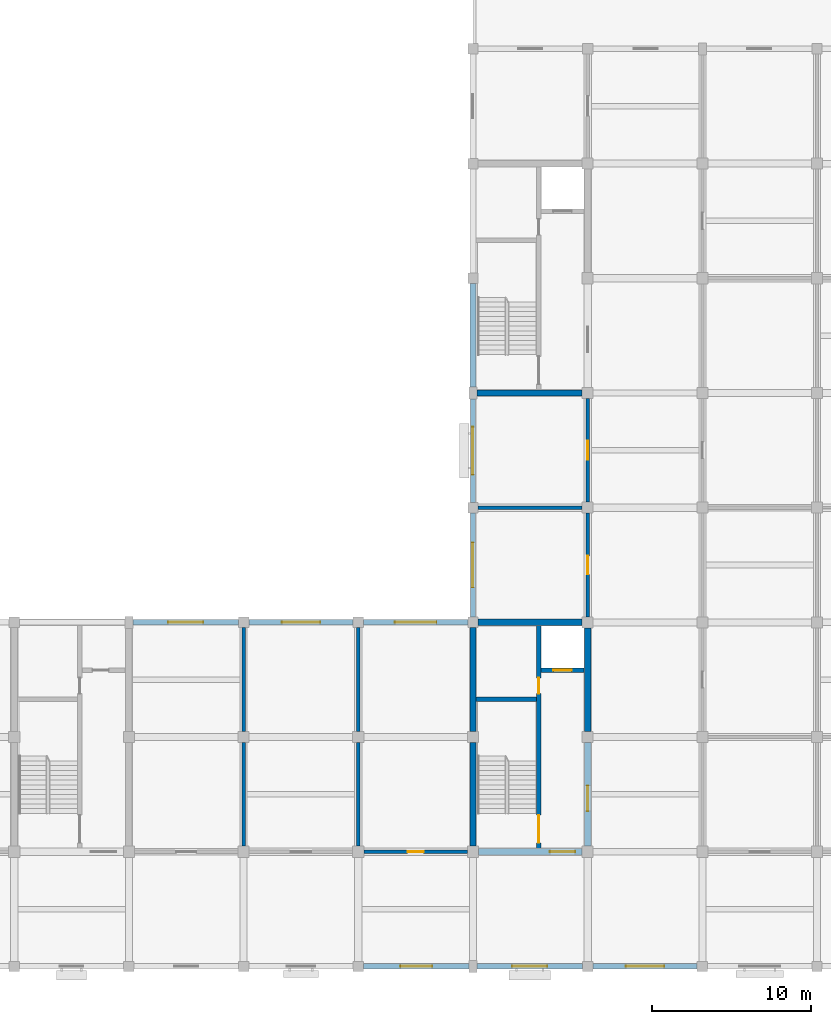
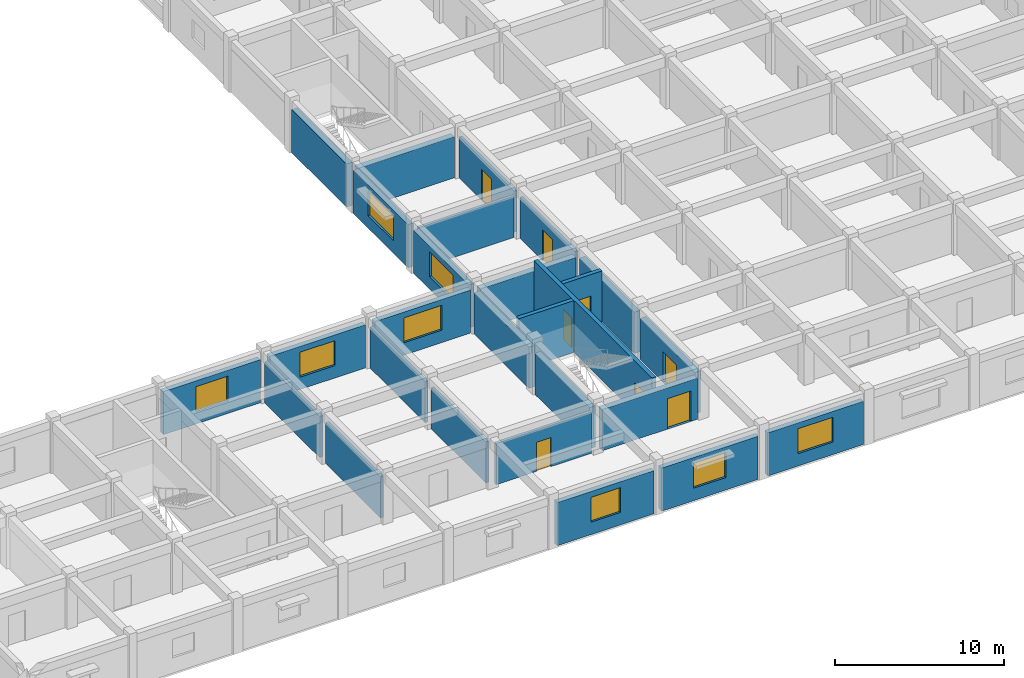
# One storey, part 5 of 16: 27 walls, 8 doors, 8 windows, 16 openings.
"""IFC4 building model written with IfcOpenShell, lengths in metres."""

from ifc_helpers import new_model, si_unit, direction, frame, frame_2d, origin, place, context, subcontext, project, spatial, rectangle, extrude, material, layer, layer_set, type_object, element, fill, save


model = new_model("IFC4")

# Units and contexts
model_context = context("Model", 3, precision=1e-05, world=origin(), true_north=direction((0.0, 1.0)))
body_context = subcontext(model_context, "Body", "Model", "MODEL_VIEW")
ifc_project = project(units=[si_unit("LENGTHUNIT", "METRE"), si_unit("AREAUNIT", "SQUARE_METRE"), si_unit("VOLUMEUNIT", "CUBIC_METRE"), si_unit("PLANEANGLEUNIT", "RADIAN"), si_unit("MASSUNIT", "GRAM", prefix="KILO")], contexts=[model_context])

# Site, building, storey
site_placement = place(None, origin())
site = spatial("IfcSite", under=ifc_project, at=site_placement, CompositionType="ELEMENT")
building_placement = place(site_placement, origin())
building = spatial("IfcBuilding", under=site, at=building_placement, Name="Cendaluz Park School", CompositionType="ELEMENT")
storey_placement = place(building_placement, frame((0.0, 0.0, 22.60009765625)))
storey = spatial("IfcBuildingStorey", under=building, at=storey_placement, Name="L05", CompositionType="ELEMENT", Elevation=22.60009765625)

# Walls
ifc_material_1 = material(Name="Gypsum Plasterboard on Cold-Formed Stud", Category="gypsum")
ifc_layer_1 = layer(ifc_material_1, 0.199951171875)
ifc_layer_set_1 = layer_set([ifc_layer_1], Name="Gypsum Plasterboard on Cold-Formed Stud")
wall_type_1 = type_object("IfcWallType", Name="W-AC20", PredefinedType="PARTITIONING", material=ifc_layer_set_1)
wall_1_placement = place(storey_placement, frame((57.60009765625, 14.75, 0.0), z_axis=(0.0, 0.0, 1.0), x_axis=(0.0, 1.0, 0.0)))
element("IfcWall", 1, at=wall_1_placement, inside=storey, type_object=wall_type_1, Name="WL-FF-BQ6", PredefinedType="PARTITIONING", context=body_context, shape_type="SweptSolid", body=[
    extrude(rectangle(XDim=6.5, YDim=0.199951171875, at=frame_2d((3.25, 0.0))), origin(), (0.0, 0.0, 1.0), 2.97998046875),
])
wall_2_placement = place(storey_placement, frame((57.60009765625, 21.949951171875, 0.0), z_axis=(0.0, 0.0, 1.0), x_axis=(0.0, 1.0, 0.0)))
element("IfcWall", 2, at=wall_2_placement, inside=storey, type_object=wall_type_1, Name="WL-FF-BQ7", PredefinedType="PARTITIONING", context=body_context, shape_type="SweptSolid", body=[
    extrude(rectangle(XDim=6.525146484375, YDim=0.199951171875, at=frame_2d((3.2626953125, 0.0))), origin(), (0.0, 0.0, 1.0), 2.97998046875),
])

# Wall, opening, door
wall_3_placement = place(storey_placement, frame((57.949951171875, 14.39990234375, 0.0), z_axis=(0.0, 0.0, 1.0), x_axis=(1.0, 0.0, 0.0)))
wall_3 = element("IfcWall", 3, at=wall_3_placement, inside=storey, type_object=wall_type_1, Name="WL-FF-BQ8", PredefinedType="PARTITIONING", context=body_context, shape_type="SweptSolid", body=[
    extrude(rectangle(XDim=6.5, YDim=0.199951171875, at=frame_2d((3.25, 0.0))), origin(), (0.0, 0.0, 1.0), 2.97998046875),
])
opening_1_placement = place(wall_3_placement, frame((2.75, 0.0, 0.0)))
opening_1 = element("IfcOpeningElement", 4, at=opening_1_placement, cuts=wall_3, Name="Opening DCL-01", PredefinedType="OPENING", context=body_context, shape_type="SweptSolid", body=[
    extrude(rectangle(XDim=1.0, YDim=2.10009765625, at=frame_2d((0.5, 1.050048828125))), frame((0.0, 0.112060546875, 0.0), z_axis=(0.0, -1.0, 0.0), x_axis=(1.0, 0.0, 0.0)), (0.0, 0.0, 1.0), 0.223876953125),
])
ifc_material_2 = material(Name="Solid Core Hardwood", Category="wood")
door_type_1 = type_object("IfcDoorType", Name="DCL-01", OperationType="NOTDEFINED", PredefinedType="DOOR", material=ifc_material_2)
door_1_placement = place(opening_1_placement, origin())
door_1 = element("IfcDoor", 5, at=door_1_placement, inside=storey, type_object=door_type_1, Name="D-L05-031", OperationType="SINGLE_SWING_LEFT", OverallHeight=2.10009765625, OverallWidth=1.0, PredefinedType="DOOR", context=body_context, shape_type="SweptSolid", body=[
    extrude(rectangle(XDim=1.0, YDim=2.10009765625, at=frame_2d((0.5, 1.050048828125))), frame((0.0, 0.02490234375, 0.0), z_axis=(0.0, -1.0, 0.0), x_axis=(1.0, 0.0, 0.0)), (0.0, 0.0, 1.0), 0.050048828125),
])
fill(opening_1, door_1)

# Wall
wall_4_placement = place(storey_placement, frame((65.125, 36.0, 0.0), z_axis=(0.0, 0.0, 1.0), x_axis=(1.0, 0.0, 0.0)))
element("IfcWall", 6, at=wall_4_placement, inside=storey, type_object=wall_type_1, Name="WL-FF-BS0", PredefinedType="PARTITIONING", context=body_context, shape_type="SweptSolid", body=[
    extrude(rectangle(XDim=6.52490234375, YDim=0.199951171875, at=frame_2d((3.262451171875, 0.0))), origin(), (0.0, 0.0, 1.0), 2.97998046875),
])

# Wall, opening, door
wall_5_placement = place(storey_placement, frame((72.0, 29.14990234375, 0.0), z_axis=(0.0, 0.0, 1.0), x_axis=(0.0, 1.0, 0.0)))
wall_5 = element("IfcWall", 7, at=wall_5_placement, inside=storey, type_object=wall_type_1, Name="WL-FF-BS1", PredefinedType="PARTITIONING", context=body_context, shape_type="SweptSolid", body=[
    extrude(rectangle(XDim=6.5, YDim=0.199951171875, at=frame_2d((3.25, 0.0))), origin(), (0.0, 0.0, 1.0), 2.97998046875),
])
opening_2_placement = place(wall_5_placement, frame((2.669921875, 0.0, 0.0)))
opening_2 = element("IfcOpeningElement", 8, at=opening_2_placement, cuts=wall_5, Name="Opening DCL-07", PredefinedType="OPENING", context=body_context, shape_type="SweptSolid", body=[
    extrude(rectangle(XDim=1.159912109375, YDim=2.219970703125, at=frame_2d((0.580078125, 1.10986328125))), frame((0.0, 0.112060546875, 0.0), z_axis=(0.0, -1.0, 0.0), x_axis=(1.0, 0.0, 0.0)), (0.0, 0.0, 1.0), 0.223876953125),
])
door_type_2 = type_object("IfcDoorType", Name="DCL-07", OperationType="NOTDEFINED", PredefinedType="DOOR", material=ifc_material_2)
door_2_placement = place(opening_2_placement, origin())
door_2 = element("IfcDoor", 9, at=door_2_placement, inside=storey, type_object=door_type_2, Name="D-L05-037", OperationType="SINGLE_SWING_LEFT", OverallHeight=2.219970703125, OverallWidth=1.159912109375, PredefinedType="DOOR", context=body_context, shape_type="SweptSolid", body=[
    extrude(rectangle(XDim=1.159912109375, YDim=2.219970703125, at=frame_2d((0.580078125, 1.10986328125))), frame((0.0, 0.02490234375, 0.0), z_axis=(0.0, -1.0, 0.0), x_axis=(1.0, 0.0, 0.0)), (0.0, 0.0, 1.0), 0.050048828125),
])
fill(opening_2, door_2)

wall_6_placement = place(storey_placement, frame((72.0, 36.35009765625, 0.0), z_axis=(0.0, 0.0, 1.0), x_axis=(0.0, 1.0, 0.0)))
wall_6 = element("IfcWall", 10, at=wall_6_placement, inside=storey, type_object=wall_type_1, Name="WL-FF-BS2", PredefinedType="PARTITIONING", context=body_context, shape_type="SweptSolid", body=[
    extrude(rectangle(XDim=6.5, YDim=0.199951171875, at=frame_2d((3.25, 0.0))), origin(), (0.0, 0.0, 1.0), 2.97998046875),
])
opening_3_placement = place(wall_6_placement, frame((2.64990234375, 0.0, 0.0)))
opening_3 = element("IfcOpeningElement", 11, at=opening_3_placement, cuts=wall_6, Name="Opening DCL-08", PredefinedType="OPENING", context=body_context, shape_type="SweptSolid", body=[
    extrude(rectangle(XDim=1.199951171875, YDim=2.239990234375, at=frame_2d((0.60009765625, 1.1201171875))), frame((0.0, 0.112060546875, 0.0), z_axis=(0.0, -1.0, 0.0), x_axis=(1.0, 0.0, 0.0)), (0.0, 0.0, 1.0), 0.223876953125),
])
door_type_3 = type_object("IfcDoorType", Name="DCL-08", OperationType="NOTDEFINED", PredefinedType="DOOR", material=ifc_material_2)
door_3_placement = place(opening_3_placement, origin())
door_3 = element("IfcDoor", 12, at=door_3_placement, inside=storey, type_object=door_type_3, Name="D-L05-038", OperationType="SINGLE_SWING_RIGHT", OverallHeight=2.239990234375, OverallWidth=1.199951171875, PredefinedType="DOOR", context=body_context, shape_type="SweptSolid", body=[
    extrude(rectangle(XDim=1.199951171875, YDim=2.239990234375, at=frame_2d((0.60009765625, 1.1201171875))), frame((0.0, 0.02490234375, 0.0), z_axis=(0.0, -1.0, 0.0), x_axis=(1.0, 0.0, 0.0)), (0.0, 0.0, 1.0), 0.050048828125),
])
fill(opening_3, door_3)

# Wall, opening, window
ifc_material_3 = material(Name="Concrete C40/50 precast", Category="concrete")
ifc_layer_2 = layer(ifc_material_3, 0.340087890625)
ifc_layer_set_2 = layer_set([ifc_layer_2], Name="Concrete C40/50 precast")
wall_type_2 = type_object("IfcWallType", Name="W-EX34", PredefinedType="SOLIDWALL", material=ifc_layer_set_2)
wall_7_placement = place(storey_placement, frame((43.449951171875, 28.800048828125, 0.0), z_axis=(0.0, 0.0, 1.0), x_axis=(1.0, 0.0, 0.0)))
wall_7 = element("IfcWall", 13, at=wall_7_placement, inside=storey, type_object=wall_type_2, Name="WL-FF-AA9", PredefinedType="SOLIDWALL", context=body_context, shape_type="SweptSolid", body=[
    extrude(rectangle(XDim=6.625, YDim=0.340087890625, at=frame_2d((3.3125, 0.0))), origin(), (0.0, 0.0, 1.0), 3.119873046875),
])
opening_4_placement = place(wall_7_placement, frame((2.21240234375, 0.0, 0.89990234375)))
opening_4 = element("IfcOpeningElement", 14, at=opening_4_placement, cuts=wall_7, Name="Opening WN-03", PredefinedType="OPENING", context=body_context, shape_type="SweptSolid", body=[
    extrude(rectangle(XDim=2.199951171875, YDim=1.800048828125, at=frame_2d((1.10009765625, 0.89990234375))), frame((0.0, 0.18212890625, 0.0), z_axis=(0.0, -1.0, 0.0), x_axis=(1.0, 0.0, 0.0)), (0.0, 0.0, 1.0), 0.364013671875),
])
ifc_material_4 = material(Name="Tempered Low-E Double Glazing", Category="glass")
window_type_1 = type_object("IfcWindowType", Name="WN-03", PartitioningType="SINGLE_PANEL", PredefinedType="WINDOW", material=ifc_material_4)
window_1_placement = place(opening_4_placement, origin())
window_1 = element("IfcWindow", 15, at=window_1_placement, inside=storey, type_object=window_type_1, Name="WN-L05-010", OverallHeight=1.800048828125, OverallWidth=2.199951171875, PartitioningType="SINGLE_PANEL", PredefinedType="WINDOW", context=body_context, shape_type="SweptSolid", body=[
    extrude(rectangle(XDim=2.199951171875, YDim=1.800048828125, at=frame_2d((1.10009765625, 0.89990234375))), frame((0.0, 0.030029296875, 0.0), z_axis=(0.0, -1.0, 0.0), x_axis=(1.0, 0.0, 0.0)), (0.0, 0.0, 1.0), 0.06005859375),
])
fill(opening_4, window_1)

wall_8_placement = place(storey_placement, frame((50.72509765625, 28.800048828125, 0.0), z_axis=(0.0, 0.0, 1.0), x_axis=(1.0, 0.0, 0.0)))
wall_8 = element("IfcWall", 16, at=wall_8_placement, inside=storey, type_object=wall_type_2, Name="WL-FF-AB1", PredefinedType="SOLIDWALL", context=body_context, shape_type="SweptSolid", body=[
    extrude(rectangle(XDim=6.5498046875, YDim=0.340087890625, at=frame_2d((3.27490234375, 0.0))), origin(), (0.0, 0.0, 1.0), 3.119873046875),
])
opening_5_placement = place(wall_8_placement, frame((2.074951171875, 0.0, 0.89990234375)))
opening_5 = element("IfcOpeningElement", 17, at=opening_5_placement, cuts=wall_8, Name="Opening WN-04", PredefinedType="OPENING", context=body_context, shape_type="SweptSolid", body=[
    extrude(rectangle(XDim=2.39990234375, YDim=1.800048828125, at=frame_2d((1.199951171875, 0.89990234375))), frame((0.0, 0.18212890625, 0.0), z_axis=(0.0, -1.0, 0.0), x_axis=(1.0, 0.0, 0.0)), (0.0, 0.0, 1.0), 0.364013671875),
])
window_type_2 = type_object("IfcWindowType", Name="WN-04", PartitioningType="SINGLE_PANEL", PredefinedType="WINDOW", material=ifc_material_4)
window_2_placement = place(opening_5_placement, origin())
window_2 = element("IfcWindow", 18, at=window_2_placement, inside=storey, type_object=window_type_2, Name="WN-L05-012", OverallHeight=1.800048828125, OverallWidth=2.39990234375, PartitioningType="SINGLE_PANEL", PredefinedType="WINDOW", context=body_context, shape_type="SweptSolid", body=[
    extrude(rectangle(XDim=2.39990234375, YDim=1.800048828125, at=frame_2d((1.199951171875, 0.89990234375))), frame((0.0, 0.030029296875, 0.0), z_axis=(0.0, -1.0, 0.0), x_axis=(1.0, 0.0, 0.0)), (0.0, 0.0, 1.0), 0.06005859375),
])
fill(opening_5, window_2)

wall_9_placement = place(storey_placement, frame((57.925048828125, 7.199951171875, 0.0), z_axis=(0.0, 0.0, 1.0), x_axis=(1.0, 0.0, 0.0)))
wall_9 = element("IfcWall", 19, at=wall_9_placement, inside=storey, type_object=wall_type_2, Name="WL-FF-AB2", PredefinedType="SOLIDWALL", context=body_context, shape_type="SweptSolid", body=[
    extrude(rectangle(XDim=6.625, YDim=0.340087890625, at=frame_2d((3.3125, 0.0))), origin(), (0.0, 0.0, 1.0), 3.119873046875),
])
opening_6_placement = place(wall_9_placement, frame((2.3125, 0.0, 0.89990234375)))
opening_6 = element("IfcOpeningElement", 20, at=opening_6_placement, cuts=wall_9, Name="Opening WN-02", PredefinedType="OPENING", context=body_context, shape_type="SweptSolid", body=[
    extrude(rectangle(XDim=2.0, YDim=1.800048828125, at=frame_2d((1.0, 0.89990234375))), frame((0.0, 0.18212890625, 0.0), z_axis=(0.0, -1.0, 0.0), x_axis=(1.0, 0.0, 0.0)), (0.0, 0.0, 1.0), 0.364013671875),
])
window_type_3 = type_object("IfcWindowType", Name="WN-02", PartitioningType="SINGLE_PANEL", PredefinedType="WINDOW", material=ifc_material_4)
window_3_placement = place(opening_6_placement, origin())
window_3 = element("IfcWindow", 21, at=window_3_placement, inside=storey, type_object=window_type_3, Name="WN-L05-013", OverallHeight=1.800048828125, OverallWidth=2.0, PartitioningType="SINGLE_PANEL", PredefinedType="WINDOW", context=body_context, shape_type="SweptSolid", body=[
    extrude(rectangle(XDim=2.0, YDim=1.800048828125, at=frame_2d((1.0, 0.89990234375))), frame((0.0, 0.030029296875, 0.0), z_axis=(0.0, -1.0, 0.0), x_axis=(1.0, 0.0, 0.0)), (0.0, 0.0, 1.0), 0.06005859375),
])
fill(opening_6, window_3)

wall_10_placement = place(storey_placement, frame((57.925048828125, 28.800048828125, 0.0), z_axis=(0.0, 0.0, 1.0), x_axis=(1.0, 0.0, 0.0)))
wall_10 = element("IfcWall", 22, at=wall_10_placement, inside=storey, type_object=wall_type_2, Name="WL-FF-AB3", PredefinedType="SOLIDWALL", context=body_context, shape_type="SweptSolid", body=[
    extrude(rectangle(XDim=6.550048828125, YDim=0.340087890625, at=frame_2d((3.27490234375, 0.0))), origin(), (0.0, 0.0, 1.0), 3.119873046875),
])
opening_7_placement = place(wall_10_placement, frame((1.97509765625, 0.0, 0.89990234375)))
opening_7 = element("IfcOpeningElement", 23, at=opening_7_placement, cuts=wall_10, Name="Opening WN-05", PredefinedType="OPENING", context=body_context, shape_type="SweptSolid", body=[
    extrude(rectangle(XDim=2.60009765625, YDim=1.800048828125, at=frame_2d((1.300048828125, 0.89990234375))), frame((0.0, 0.18212890625, 0.0), z_axis=(0.0, -1.0, 0.0), x_axis=(1.0, 0.0, 0.0)), (0.0, 0.0, 1.0), 0.364013671875),
])
window_type_4 = type_object("IfcWindowType", Name="WN-05", PartitioningType="SINGLE_PANEL", PredefinedType="WINDOW", material=ifc_material_4)
window_4_placement = place(opening_7_placement, origin())
window_4 = element("IfcWindow", 24, at=window_4_placement, inside=storey, type_object=window_type_4, Name="WN-L05-014", OverallHeight=1.800048828125, OverallWidth=2.60009765625, PartitioningType="SINGLE_PANEL", PredefinedType="WINDOW", context=body_context, shape_type="SweptSolid", body=[
    extrude(rectangle(XDim=2.60009765625, YDim=1.800048828125, at=frame_2d((1.300048828125, 0.89990234375))), frame((0.0, 0.030029296875, 0.0), z_axis=(0.0, -1.0, 0.0), x_axis=(1.0, 0.0, 0.0)), (0.0, 0.0, 1.0), 0.06005859375),
])
fill(opening_7, window_4)

wall_11_placement = place(storey_placement, frame((65.050048828125, 7.199951171875, 0.0), z_axis=(0.0, 0.0, 1.0), x_axis=(1.0, 0.0, 0.0)))
wall_11 = element("IfcWall", 25, at=wall_11_placement, inside=storey, type_object=wall_type_2, Name="WL-FF-AB4", PredefinedType="SOLIDWALL", context=body_context, shape_type="SweptSolid", body=[
    extrude(rectangle(XDim=6.625, YDim=0.340087890625, at=frame_2d((3.3125, 0.0))), origin(), (0.0, 0.0, 1.0), 3.119873046875),
])
opening_8_placement = place(wall_11_placement, frame((2.21240234375, 0.0, 0.89990234375)))
opening_8 = element("IfcOpeningElement", 26, at=opening_8_placement, cuts=wall_11, Name="Opening WN-03", PredefinedType="OPENING", context=body_context, shape_type="SweptSolid", body=[
    extrude(rectangle(XDim=2.199951171875, YDim=1.800048828125, at=frame_2d((1.10009765625, 0.89990234375))), frame((0.0, 0.18212890625, 0.0), z_axis=(0.0, -1.0, 0.0), x_axis=(1.0, 0.0, 0.0)), (0.0, 0.0, 1.0), 0.364013671875),
])
window_5_placement = place(opening_8_placement, origin())
window_5 = element("IfcWindow", 27, at=window_5_placement, inside=storey, type_object=window_type_1, Name="WN-L05-015", OverallHeight=1.800048828125, OverallWidth=2.199951171875, PartitioningType="SINGLE_PANEL", PredefinedType="WINDOW", context=body_context, shape_type="SweptSolid", body=[
    extrude(rectangle(XDim=2.199951171875, YDim=1.800048828125, at=frame_2d((1.10009765625, 0.89990234375))), frame((0.0, 0.030029296875, 0.0), z_axis=(0.0, -1.0, 0.0), x_axis=(1.0, 0.0, 0.0)), (0.0, 0.0, 1.0), 0.06005859375),
])
fill(opening_8, window_5)

wall_12_placement = place(storey_placement, frame((64.800048828125, 29.125, 0.0), z_axis=(0.0, 0.0, 1.0), x_axis=(0.0, 1.0, 0.0)))
wall_12 = element("IfcWall", 28, at=wall_12_placement, inside=storey, type_object=wall_type_2, Name="WL-FF-AB5", PredefinedType="SOLIDWALL", context=body_context, shape_type="SweptSolid", body=[
    extrude(rectangle(XDim=6.550048828125, YDim=0.340087890625, at=frame_2d((3.27490234375, 0.0))), origin(), (0.0, 0.0, 1.0), 3.119873046875),
])
opening_9_placement = place(wall_12_placement, frame((1.875, 0.0, 0.89990234375)))
opening_9 = element("IfcOpeningElement", 29, at=opening_9_placement, cuts=wall_12, Name="Opening WN-06", PredefinedType="OPENING", context=body_context, shape_type="SweptSolid", body=[
    extrude(rectangle(XDim=2.800048828125, YDim=1.800048828125, at=frame_2d((1.39990234375, 0.89990234375))), frame((0.0, 0.18212890625, 0.0), z_axis=(0.0, -1.0, 0.0), x_axis=(1.0, 0.0, 0.0)), (0.0, 0.0, 1.0), 0.364013671875),
])
window_type_5 = type_object("IfcWindowType", Name="WN-06", PartitioningType="SINGLE_PANEL", PredefinedType="WINDOW", material=ifc_material_4)
window_6_placement = place(opening_9_placement, origin())
window_6 = element("IfcWindow", 30, at=window_6_placement, inside=storey, type_object=window_type_5, Name="WN-L05-016", OverallHeight=1.800048828125, OverallWidth=2.800048828125, PartitioningType="SINGLE_PANEL", PredefinedType="WINDOW", context=body_context, shape_type="SweptSolid", body=[
    extrude(rectangle(XDim=2.800048828125, YDim=1.800048828125, at=frame_2d((1.39990234375, 0.89990234375))), frame((0.0, 0.030029296875, 0.0), z_axis=(0.0, -1.0, 0.0), x_axis=(1.0, 0.0, 0.0)), (0.0, 0.0, 1.0), 0.06005859375),
])
fill(opening_9, window_6)

wall_13_placement = place(storey_placement, frame((64.800048828125, 36.324951171875, 0.0), z_axis=(0.0, 0.0, 1.0), x_axis=(0.0, 1.0, 0.0)))
wall_13 = element("IfcWall", 31, at=wall_13_placement, inside=storey, type_object=wall_type_2, Name="WL-FF-AB6", PredefinedType="SOLIDWALL", context=body_context, shape_type="SweptSolid", body=[
    extrude(rectangle(XDim=6.5, YDim=0.340087890625, at=frame_2d((3.25, 0.0))), origin(), (0.0, 0.0, 1.0), 3.119873046875),
])
opening_10_placement = place(wall_13_placement, frame((1.75, 0.0, 0.89990234375)))
opening_10 = element("IfcOpeningElement", 32, at=opening_10_placement, cuts=wall_13, Name="Opening WN-07", PredefinedType="OPENING", context=body_context, shape_type="SweptSolid", body=[
    extrude(rectangle(XDim=3.0, YDim=1.800048828125, at=frame_2d((1.5, 0.89990234375))), frame((0.0, 0.18212890625, 0.0), z_axis=(0.0, -1.0, 0.0), x_axis=(1.0, 0.0, 0.0)), (0.0, 0.0, 1.0), 0.364013671875),
])
window_type_6 = type_object("IfcWindowType", Name="WN-07", PartitioningType="SINGLE_PANEL", PredefinedType="WINDOW", material=ifc_material_4)
window_7_placement = place(opening_10_placement, origin())
window_7 = element("IfcWindow", 33, at=window_7_placement, inside=storey, type_object=window_type_6, Name="WN-L05-017", OverallHeight=1.800048828125, OverallWidth=3.0, PartitioningType="SINGLE_PANEL", PredefinedType="WINDOW", context=body_context, shape_type="SweptSolid", body=[
    extrude(rectangle(XDim=3.0, YDim=1.800048828125, at=frame_2d((1.5, 0.89990234375))), frame((0.0, 0.030029296875, 0.0), z_axis=(0.0, -1.0, 0.0), x_axis=(1.0, 0.0, 0.0)), (0.0, 0.0, 1.0), 0.06005859375),
])
fill(opening_10, window_7)

wall_14_placement = place(storey_placement, frame((72.324951171875, 7.199951171875, 0.0), z_axis=(0.0, 0.0, 1.0), x_axis=(1.0, 0.0, 0.0)))
wall_14 = element("IfcWall", 34, at=wall_14_placement, inside=storey, type_object=wall_type_2, Name="WL-FF-AB9", PredefinedType="SOLIDWALL", context=body_context, shape_type="SweptSolid", body=[
    extrude(rectangle(XDim=6.550048828125, YDim=0.340087890625, at=frame_2d((3.27490234375, 0.0))), origin(), (0.0, 0.0, 1.0), 3.119873046875),
])
opening_11_placement = place(wall_14_placement, frame((2.074951171875, 0.0, 0.89990234375)))
opening_11 = element("IfcOpeningElement", 35, at=opening_11_placement, cuts=wall_14, Name="Opening WN-04", PredefinedType="OPENING", context=body_context, shape_type="SweptSolid", body=[
    extrude(rectangle(XDim=2.39990234375, YDim=1.800048828125, at=frame_2d((1.199951171875, 0.89990234375))), frame((0.0, 0.18212890625, 0.0), z_axis=(0.0, -1.0, 0.0), x_axis=(1.0, 0.0, 0.0)), (0.0, 0.0, 1.0), 0.364013671875),
])
window_8_placement = place(opening_11_placement, origin())
window_8 = element("IfcWindow", 36, at=window_8_placement, inside=storey, type_object=window_type_2, Name="WN-L05-020", OverallHeight=1.800048828125, OverallWidth=2.39990234375, PartitioningType="SINGLE_PANEL", PredefinedType="WINDOW", context=body_context, shape_type="SweptSolid", body=[
    extrude(rectangle(XDim=2.39990234375, YDim=1.800048828125, at=frame_2d((1.199951171875, 0.89990234375))), frame((0.0, 0.030029296875, 0.0), z_axis=(0.0, -1.0, 0.0), x_axis=(1.0, 0.0, 0.0)), (0.0, 0.0, 1.0), 0.06005859375),
])
fill(opening_11, window_8)

# Wall, openings, doors
ifc_material_5 = material(Name="Concrete C40/50", Category="concrete")
ifc_layer_3 = layer(ifc_material_5, 0.280029296875)
ifc_layer_set_3 = layer_set([ifc_layer_3], Name="Concrete C40/50")
wall_type_3 = type_object("IfcWallType", Name="W-FW28", PredefinedType="SHEAR", material=ifc_layer_set_3)
wall_15_placement = place(storey_placement, frame((68.919921875, 14.60009765625, 0.0), z_axis=(0.0, 0.0, 1.0), x_axis=(0.0, 1.0, 0.0)))
wall_15 = element("IfcWall", 37, at=wall_15_placement, inside=storey, type_object=wall_type_3, Name="WL-FF-BL0", PredefinedType="SHEAR", context=body_context, shape_type="SweptSolid", body=[
    extrude(rectangle(XDim=14.0, YDim=0.280029296875, at=frame_2d((7.0, 0.0))), origin(), (0.0, 0.0, 1.0), 3.75),
])
opening_12_placement = place(wall_15_placement, frame((0.35009765625, 0.0, 0.0)))
opening_12 = element("IfcOpeningElement", 38, at=opening_12_placement, cuts=wall_15, Name="Opening DST-03", PredefinedType="OPENING", context=body_context, shape_type="SweptSolid", body=[
    extrude(rectangle(XDim=1.75, YDim=2.14990234375, at=frame_2d((0.875, 1.074951171875))), frame((0.0, 0.152099609375, 0.0), z_axis=(0.0, -1.0, 0.0), x_axis=(1.0, 0.0, 0.0)), (0.0, 0.0, 1.0), 0.303955078125),
])
opening_13_placement = place(wall_15_placement, frame((9.719970703125, 0.0, 0.0)))
opening_13 = element("IfcOpeningElement", 39, at=opening_13_placement, cuts=wall_15, Name="Opening DFC-01", PredefinedType="OPENING", context=body_context, shape_type="SweptSolid", body=[
    extrude(rectangle(XDim=1.0, YDim=2.14990234375, at=frame_2d((0.5, 1.074951171875))), frame((0.0, 0.152099609375, 0.0), z_axis=(0.0, -1.0, 0.0), x_axis=(1.0, 0.0, 0.0)), (0.0, 0.0, 1.0), 0.303955078125),
])
door_type_4 = type_object("IfcDoorType", Name="DFC-01", OperationType="NOTDEFINED", PredefinedType="DOOR", material=ifc_material_2)
door_4_placement = place(opening_13_placement, origin())
door_4 = element("IfcDoor", 40, at=door_4_placement, inside=storey, type_object=door_type_4, Name="D-L05-004", OperationType="SINGLE_SWING_LEFT", OverallHeight=2.14990234375, OverallWidth=1.0, PredefinedType="DOOR", context=body_context, shape_type="SweptSolid", body=[
    extrude(rectangle(XDim=1.0, YDim=2.14990234375, at=frame_2d((0.5, 1.074951171875))), frame((0.0, 0.02490234375, 0.0), z_axis=(0.0, -1.0, 0.0), x_axis=(1.0, 0.0, 0.0)), (0.0, 0.0, 1.0), 0.050048828125),
])
fill(opening_13, door_4)
door_type_5 = type_object("IfcDoorType", Name="DST-03", OperationType="DOUBLE_DOOR_SINGLE_SWING", PredefinedType="DOOR", material=ifc_material_2)
door_5_placement = place(opening_12_placement, origin())
door_5 = element("IfcDoor", 41, at=door_5_placement, inside=storey, type_object=door_type_5, Name="D-L05-003", OperationType="DOUBLE_DOOR_SINGLE_SWING", OverallHeight=2.14990234375, OverallWidth=1.75, PredefinedType="DOOR", context=body_context, shape_type="SweptSolid", body=[
    extrude(rectangle(XDim=1.75, YDim=2.14990234375, at=frame_2d((0.875, 1.074951171875))), frame((0.0, 0.02490234375, 0.0), z_axis=(0.0, -1.0, 0.0), x_axis=(1.0, 0.0, 0.0)), (0.0, 0.0, 1.0), 0.050048828125),
])
fill(opening_12, door_5)

# Wall
wall_16_placement = place(storey_placement, frame((65.0, 23.97998046875, 0.0), z_axis=(0.0, 0.0, 1.0), x_axis=(1.0, 0.0, 0.0)))
element("IfcWall", 42, at=wall_16_placement, inside=storey, type_object=wall_type_3, Name="WL-FF-BL1", PredefinedType="SHEAR", context=body_context, shape_type="SweptSolid", body=[
    extrude(rectangle(XDim=3.780029296875, YDim=0.280029296875, at=frame_2d((1.89013671875, 0.0))), origin(), (0.0, 0.0, 1.0), 3.75),
])

# Wall, opening, door
wall_17_placement = place(storey_placement, frame((69.080078125, 25.800048828125, 0.0), z_axis=(0.0, 0.0, 1.0), x_axis=(1.0, 0.0, 0.0)))
wall_17 = element("IfcWall", 43, at=wall_17_placement, inside=storey, type_object=wall_type_3, Name="WL-FF-BL2", PredefinedType="SHEAR", context=body_context, shape_type="SweptSolid", body=[
    extrude(rectangle(XDim=2.679931640625, YDim=0.280029296875, at=frame_2d((1.33984375, 0.0))), origin(), (0.0, 0.0, 1.0), 3.75),
])
opening_14_placement = place(wall_17_placement, frame((0.764892578125, 0.0, 0.0)))
opening_14 = element("IfcOpeningElement", 44, at=opening_14_placement, cuts=wall_17, Name="Opening LD-01", PredefinedType="OPENING", context=body_context, shape_type="SweptSolid", body=[
    extrude(rectangle(XDim=1.14990234375, YDim=2.199951171875, at=frame_2d((0.574951171875, 1.10009765625))), frame((0.0, 0.152099609375, 0.0), z_axis=(0.0, -1.0, 0.0), x_axis=(1.0, 0.0, 0.0)), (0.0, 0.0, 1.0), 0.303955078125),
])
ifc_material_6 = material(Name="Stainless Steel 316L", Category="steel")
door_type_6 = type_object("IfcDoorType", Name="LD-01", OperationType="DOUBLE_DOOR_SLIDING", PredefinedType="DOOR", material=ifc_material_6)
door_6_placement = place(opening_14_placement, frame((1.14990234375, 0.0, 0.0), z_axis=(0.0, 0.0, 1.0), x_axis=(-1.0, 0.0, 0.0)))
door_6 = element("IfcDoor", 45, at=door_6_placement, inside=storey, type_object=door_type_6, Name="D-L05-005", OperationType="DOUBLE_DOOR_SLIDING", OverallHeight=2.199951171875, OverallWidth=1.14990234375, PredefinedType="DOOR", context=body_context, shape_type="SweptSolid", body=[
    extrude(rectangle(XDim=1.14990234375, YDim=2.199951171875, at=frame_2d((0.574951171875, 1.10009765625))), frame((0.0, 0.02490234375, 0.0), z_axis=(0.0, -1.0, 0.0), x_axis=(1.0, 0.0, 0.0)), (0.0, 0.0, 1.0), 0.050048828125),
])
fill(opening_14, door_6)

# Walls
ifc_layer_4 = layer(ifc_material_1, 0.219970703125)
ifc_layer_set_4 = layer_set([ifc_layer_4], Name="Gypsum Plasterboard on Cold-Formed Stud")
wall_type_4 = type_object("IfcWallType", Name="W-LB22", PredefinedType="PARTITIONING", material=ifc_layer_set_4)
wall_18_placement = place(storey_placement, frame((50.39990234375, 14.75, 0.0), z_axis=(0.0, 0.0, 1.0), x_axis=(0.0, 1.0, 0.0)))
element("IfcWall", 46, at=wall_18_placement, inside=storey, type_object=wall_type_4, Name="WL-FF-BQ3", PredefinedType="PARTITIONING", context=body_context, shape_type="SweptSolid", body=[
    extrude(rectangle(XDim=6.5, YDim=0.219970703125, at=frame_2d((3.25, 0.0))), origin(), (0.0, 0.0, 1.0), 2.97998046875),
])
wall_19_placement = place(storey_placement, frame((50.39990234375, 21.949951171875, 0.0), z_axis=(0.0, 0.0, 1.0), x_axis=(0.0, 1.0, 0.0)))
element("IfcWall", 47, at=wall_19_placement, inside=storey, type_object=wall_type_4, Name="WL-FF-BQ4", PredefinedType="PARTITIONING", context=body_context, shape_type="SweptSolid", body=[
    extrude(rectangle(XDim=6.525146484375, YDim=0.219970703125, at=frame_2d((3.2626953125, 0.0))), origin(), (0.0, 0.0, 1.0), 2.97998046875),
])
ifc_layer_5 = layer(ifc_material_5, 0.39990234375)
ifc_layer_set_5 = layer_set([ifc_layer_5], Name="Concrete C40/50")
wall_type_5 = type_object("IfcWallType", Name="W-SH40", PredefinedType="SHEAR", material=ifc_layer_set_5)
wall_20_placement = place(storey_placement, frame((64.800048828125, 14.75, 0.0), z_axis=(0.0, 0.0, 1.0), x_axis=(0.0, 1.0, 0.0)))
element("IfcWall", 48, at=wall_20_placement, inside=storey, type_object=wall_type_5, Name="WL-FF-BK4", PredefinedType="SHEAR", context=body_context, shape_type="SweptSolid", body=[
    extrude(rectangle(XDim=6.5, YDim=0.39990234375, at=frame_2d((3.25, 0.0))), origin(), (0.0, 0.0, 1.0), 2.97998046875),
])
wall_21_placement = place(storey_placement, frame((64.800048828125, 21.949951171875, 0.0), z_axis=(0.0, 0.0, 1.0), x_axis=(0.0, 1.0, 0.0)))
element("IfcWall", 49, at=wall_21_placement, inside=storey, type_object=wall_type_5, Name="WL-FF-BK5", PredefinedType="SHEAR", context=body_context, shape_type="SweptSolid", body=[
    extrude(rectangle(XDim=6.525146484375, YDim=0.39990234375, at=frame_2d((3.2626953125, 0.0))), origin(), (0.0, 0.0, 1.0), 2.97998046875),
])

# Wall, opening, door
wall_22_placement = place(storey_placement, frame((72.0, 14.75, 0.0), z_axis=(0.0, 0.0, 1.0), x_axis=(0.0, 1.0, 0.0)))
wall_22 = element("IfcWall", 50, at=wall_22_placement, inside=storey, type_object=wall_type_5, Name="WL-FF-BK6", PredefinedType="SHEAR", context=body_context, shape_type="SweptSolid", body=[
    extrude(rectangle(XDim=6.5, YDim=0.39990234375, at=frame_2d((3.25, 0.0))), origin(), (0.0, 0.0, 1.0), 2.97998046875),
])
opening_15_placement = place(wall_22_placement, frame((2.199951171875, 0.0, 0.0)))
opening_15 = element("IfcOpeningElement", 51, at=opening_15_placement, cuts=wall_22, Name="Opening DLB-01", PredefinedType="OPENING", context=body_context, shape_type="SweptSolid", body=[
    extrude(rectangle(XDim=1.60009765625, YDim=2.199951171875, at=frame_2d((0.800048828125, 1.10009765625))), frame((0.0, 0.2119140625, 0.0), z_axis=(0.0, -1.0, 0.0), x_axis=(1.0, 0.0, 0.0)), (0.0, 0.0, 1.0), 0.423828125),
])
door_type_7 = type_object("IfcDoorType", Name="DLB-01", OperationType="DOUBLE_DOOR_SINGLE_SWING", PredefinedType="DOOR", material=ifc_material_2)
door_7_placement = place(opening_15_placement, origin())
door_7 = element("IfcDoor", 52, at=door_7_placement, inside=storey, type_object=door_type_7, Name="D-L05-001", OperationType="DOUBLE_DOOR_SINGLE_SWING", OverallHeight=2.199951171875, OverallWidth=1.60009765625, PredefinedType="DOOR", context=body_context, shape_type="SweptSolid", body=[
    extrude(rectangle(XDim=1.60009765625, YDim=2.199951171875, at=frame_2d((0.800048828125, 1.10009765625))), frame((0.0, 0.02490234375, 0.0), z_axis=(0.0, -1.0, 0.0), x_axis=(1.0, 0.0, 0.0)), (0.0, 0.0, 1.0), 0.050048828125),
])
fill(opening_15, door_7)

# Wall
wall_23_placement = place(storey_placement, frame((72.0, 21.949951171875, 0.0), z_axis=(0.0, 0.0, 1.0), x_axis=(0.0, 1.0, 0.0)))
element("IfcWall", 53, at=wall_23_placement, inside=storey, type_object=wall_type_5, Name="WL-FF-BK7", PredefinedType="SHEAR", context=body_context, shape_type="SweptSolid", body=[
    extrude(rectangle(XDim=6.5, YDim=0.39990234375, at=frame_2d((3.25, 0.0))), origin(), (0.0, 0.0, 1.0), 2.97998046875),
])

# Wall, opening, door
wall_24_placement = place(storey_placement, frame((65.14990234375, 14.39990234375, 0.0), z_axis=(0.0, 0.0, 1.0), x_axis=(1.0, 0.0, 0.0)))
wall_24 = element("IfcWall", 54, at=wall_24_placement, inside=storey, type_object=wall_type_5, Name="WL-FF-BK8", PredefinedType="SHEAR", context=body_context, shape_type="SweptSolid", body=[
    extrude(rectangle(XDim=6.5, YDim=0.39990234375, at=frame_2d((3.25, 0.0))), origin(), (0.0, 0.0, 1.0), 2.97998046875),
])
opening_16_placement = place(wall_24_placement, frame((4.469970703125, 0.0, 0.0)))
opening_16 = element("IfcOpeningElement", 55, at=opening_16_placement, cuts=wall_24, Name="Opening DLB-01", PredefinedType="OPENING", context=body_context, shape_type="SweptSolid", body=[
    extrude(rectangle(XDim=1.60009765625, YDim=2.199951171875, at=frame_2d((0.800048828125, 1.10009765625))), frame((0.0, 0.2119140625, 0.0), z_axis=(0.0, -1.0, 0.0), x_axis=(1.0, 0.0, 0.0)), (0.0, 0.0, 1.0), 0.423828125),
])
door_8_placement = place(opening_16_placement, origin())
door_8 = element("IfcDoor", 56, at=door_8_placement, inside=storey, type_object=door_type_7, Name="D-L05-002", OperationType="DOUBLE_DOOR_SINGLE_SWING", OverallHeight=2.199951171875, OverallWidth=1.60009765625, PredefinedType="DOOR", context=body_context, shape_type="SweptSolid", body=[
    extrude(rectangle(XDim=1.60009765625, YDim=2.199951171875, at=frame_2d((0.800048828125, 1.10009765625))), frame((0.0, 0.02490234375, 0.0), z_axis=(0.0, -1.0, 0.0), x_axis=(1.0, 0.0, 0.0)), (0.0, 0.0, 1.0), 0.050048828125),
])
fill(opening_16, door_8)

# Walls
wall_25_placement = place(storey_placement, frame((65.125, 28.800048828125, 0.0), z_axis=(0.0, 0.0, 1.0), x_axis=(1.0, 0.0, 0.0)))
element("IfcWall", 57, at=wall_25_placement, inside=storey, type_object=wall_type_5, Name="WL-FF-BK9", PredefinedType="SHEAR", context=body_context, shape_type="SweptSolid", body=[
    extrude(rectangle(XDim=6.52490234375, YDim=0.39990234375, at=frame_2d((3.262451171875, 0.0))), origin(), (0.0, 0.0, 1.0), 2.97998046875),
])
wall_26_placement = place(storey_placement, frame((64.800048828125, 43.574951171875, 0.0), z_axis=(0.0, 0.0, 1.0), x_axis=(0.0, 1.0, 0.0)))
element("IfcWall", 58, at=wall_26_placement, inside=storey, type_object=wall_type_5, Name="WL-FF-BM2", PredefinedType="SHEAR", context=body_context, shape_type="SweptSolid", body=[
    extrude(rectangle(XDim=6.5, YDim=0.39990234375, at=frame_2d((3.25, 0.0))), origin(), (0.0, 0.0, 1.0), 3.119873046875),
])
wall_27_placement = place(storey_placement, frame((65.050048828125, 43.199951171875, 0.0), z_axis=(0.0, 0.0, 1.0), x_axis=(1.0, 0.0, 0.0)))
element("IfcWall", 59, at=wall_27_placement, inside=storey, type_object=wall_type_5, Name="WL-FF-BM6", PredefinedType="SHEAR", context=body_context, shape_type="SweptSolid", body=[
    extrude(rectangle(XDim=6.599853515625, YDim=0.39990234375, at=frame_2d((3.2998046875, 0.0))), origin(), (0.0, 0.0, 1.0), 2.97998046875),
])

save(model, "model.ifc")
